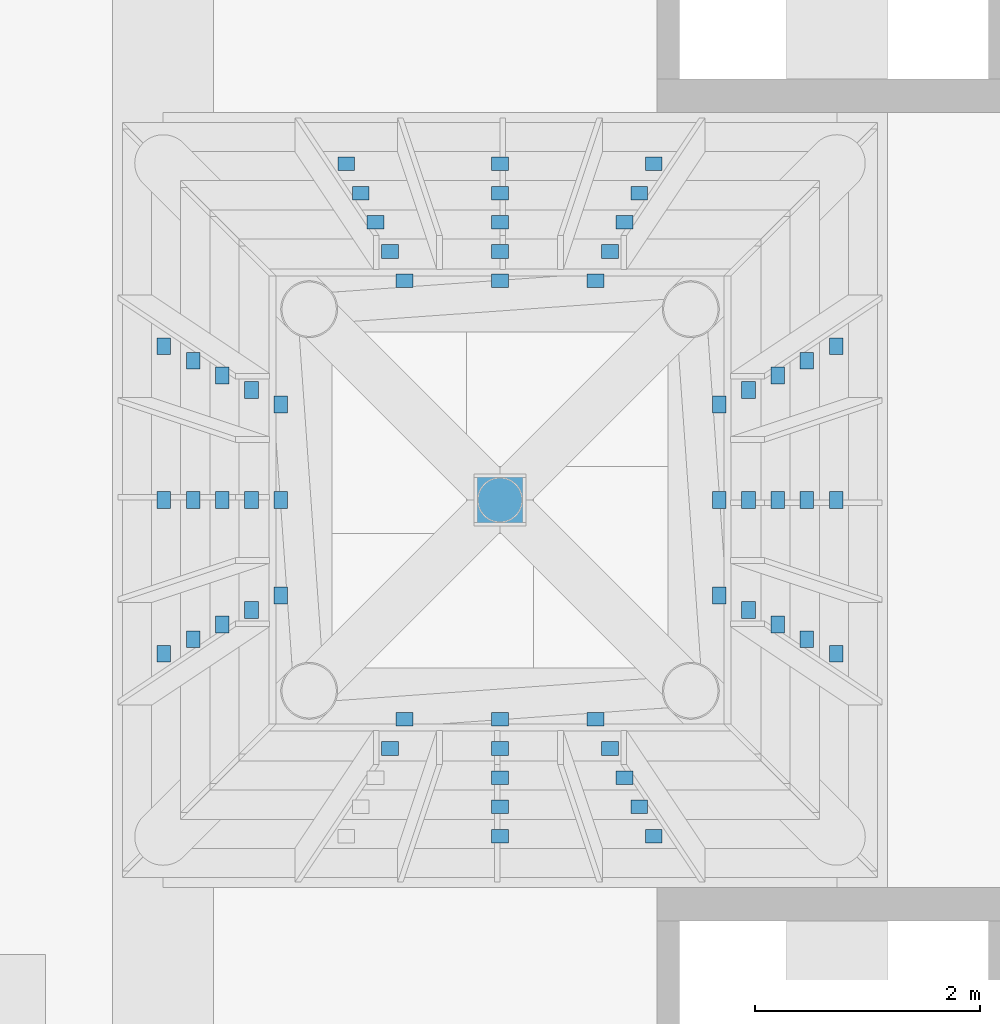
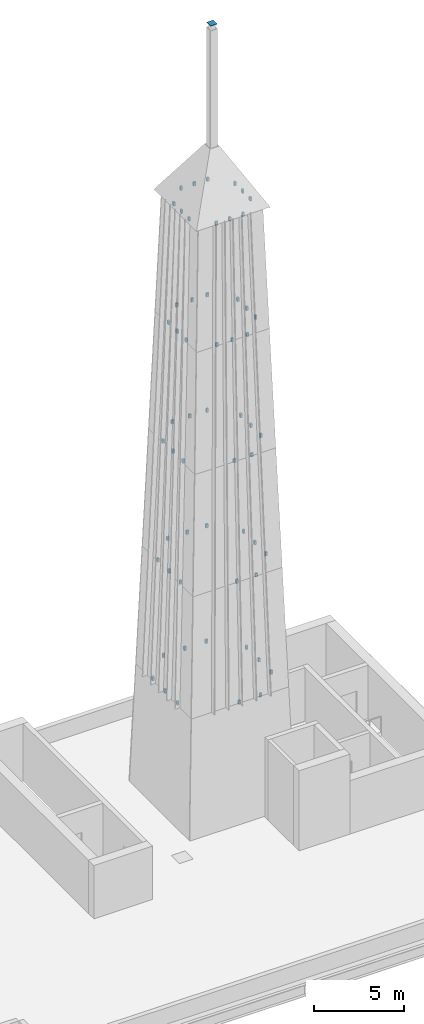
# One storey, part 5 of 8: 58 discrete accessories.
"""IFC4 building model written with IfcOpenShell, lengths in metres."""

from ifc_helpers import new_model, si_unit, direction, frame, origin, origin_2d, place, context, subcontext, project, spatial, rectangle, extrude, material, layer, layer_set, type_object, element, save


model = new_model("IFC4")

# Units and contexts
model_context = context("Model", 3, precision=1e-05, world=origin(), true_north=direction((0.0, 1.0)))
body_context = subcontext(model_context, "Body", "Model", "MODEL_VIEW")
ifc_project = project(units=[si_unit("LENGTHUNIT", "METRE"), si_unit("AREAUNIT", "SQUARE_METRE"), si_unit("VOLUMEUNIT", "CUBIC_METRE"), si_unit("PLANEANGLEUNIT", "RADIAN"), si_unit("MASSUNIT", "GRAM", prefix="KILO")], contexts=[model_context])

# Site, building, storey
site_placement = place(None, origin())
site = spatial("IfcSite", under=ifc_project, at=site_placement, CompositionType="ELEMENT")
building_placement = place(site_placement, origin())
building = spatial("IfcBuilding", under=site, at=building_placement, Name="Loomwork Tower", CompositionType="ELEMENT")
storey_placement = place(building_placement, frame((0.0, 0.0, 279.800048828125)))
storey = spatial("IfcBuildingStorey", under=building, at=storey_placement, Name="RF", CompositionType="ELEMENT", Elevation=279.800048828125)

# Discrete accessories
ifc_material_1 = material(Name="Steel, galvanised", Category="steel")
discrete_accessory_type_1 = type_object("IfcDiscreteAccessoryType", Name="Crown cladding bracket", PredefinedType="BRACKET", material=ifc_material_1)
for number, where, z_axis, x_axis, name in (
    (1, (22.5, 15.00634765625, 7.875), (0.0, 0.0, 1.0), (1.0, 0.0, 0.0), "Crown cladding bracket south 8 m 2"),
    (2, (23.8701171875, 15.00634765625, 7.875), (0.0, 0.0, 1.0), (1.0, 0.0, 0.0), "Crown cladding bracket south 8 m 3"),
    (3, (22.5, 15.266357421875, 15.875), (0.0, 0.0, 1.0), (1.0, 0.0, 0.0), "Crown cladding bracket south 16 m 2"),
    (4, (23.739990234375, 15.266357421875, 15.875), (0.0, 0.0, 1.0), (1.0, 0.0, 0.0), "Crown cladding bracket south 16 m 3"),
    (5, (22.5, 15.5263671875, 23.875), (0.0, 0.0, 1.0), (1.0, 0.0, 0.0), "Crown cladding bracket south 24 m 2"),
    (6, (23.610107421875, 15.5263671875, 23.875), (0.0, 0.0, 1.0), (1.0, 0.0, 0.0), "Crown cladding bracket south 24 m 3"),
    (7, (21.52001953125, 15.786376953125, 31.875), (0.0, 0.0, 1.0), (1.0, 0.0, 0.0), "Crown cladding bracket south 32 m 1"),
    (8, (22.5, 15.786376953125, 31.875), (0.0, 0.0, 1.0), (1.0, 0.0, 0.0), "Crown cladding bracket south 32 m 2"),
    (9, (23.47998046875, 15.786376953125, 31.875), (0.0, 0.0, 1.0), (1.0, 0.0, 0.0), "Crown cladding bracket south 32 m 3"),
    (10, (21.64990234375, 16.04638671875, 39.875), (0.0, 0.0, 1.0), (1.0, 0.0, 0.0), "Crown cladding bracket south 40 m 1"),
    (11, (22.5, 16.04638671875, 39.875), (0.0, 0.0, 1.0), (1.0, 0.0, 0.0), "Crown cladding bracket south 40 m 2"),
    (12, (23.35009765625, 16.04638671875, 39.875), (0.0, 0.0, 1.0), (1.0, 0.0, 0.0), "Crown cladding bracket south 40 m 3"),
):
    element("IfcDiscreteAccessory", number, at=place(storey_placement, frame(where, z_axis=z_axis, x_axis=x_axis)), inside=storey, type_object=discrete_accessory_type_1, Name=name, PredefinedType="BRACKET", context=body_context, shape_type="SweptSolid", body=[
        extrude(rectangle(XDim=0.14990234375, YDim=0.120849609375, at=origin_2d()), origin(), (0.0, 0.0, 1.0), 0.25),
    ])
for number, where, z_axis, x_axis, name in (
    (13, (25.49365234375, 16.6298828125, 7.875), (0.0, 0.0, 1.0), (1.0, 0.0, 0.0), "Crown cladding bracket east 8 m 1"),
    (14, (25.49365234375, 18.0, 7.875), (0.0, 0.0, 1.0), (1.0, 0.0, 0.0), "Crown cladding bracket east 8 m 2"),
    (15, (25.49365234375, 19.3701171875, 7.875), (0.0, 0.0, 1.0), (1.0, 0.0, 0.0), "Crown cladding bracket east 8 m 3"),
    (16, (25.233642578125, 16.760009765625, 15.875), (0.0, 0.0, 1.0), (1.0, 0.0, 0.0), "Crown cladding bracket east 16 m 1"),
    (17, (25.233642578125, 18.0, 15.875), (0.0, 0.0, 1.0), (1.0, 0.0, 0.0), "Crown cladding bracket east 16 m 2"),
    (18, (25.233642578125, 19.239990234375, 15.875), (0.0, 0.0, 1.0), (1.0, 0.0, 0.0), "Crown cladding bracket east 16 m 3"),
    (19, (24.9736328125, 16.889892578125, 23.875), (0.0, 0.0, 1.0), (1.0, 0.0, 0.0), "Crown cladding bracket east 24 m 1"),
    (20, (24.9736328125, 18.0, 23.875), (0.0, 0.0, 1.0), (1.0, 0.0, 0.0), "Crown cladding bracket east 24 m 2"),
    (21, (24.9736328125, 19.110107421875, 23.875), (0.0, 0.0, 1.0), (1.0, 0.0, 0.0), "Crown cladding bracket east 24 m 3"),
    (22, (24.713623046875, 17.02001953125, 31.875), (0.0, 0.0, 1.0), (1.0, 0.0, 0.0), "Crown cladding bracket east 32 m 1"),
    (23, (24.713623046875, 18.0, 31.875), (0.0, 0.0, 1.0), (1.0, 0.0, 0.0), "Crown cladding bracket east 32 m 2"),
    (24, (24.713623046875, 18.97998046875, 31.875), (0.0, 0.0, 1.0), (1.0, 0.0, 0.0), "Crown cladding bracket east 32 m 3"),
    (25, (24.45361328125, 17.14990234375, 39.875), (0.0, 0.0, 1.0), (1.0, 0.0, 0.0), "Crown cladding bracket east 40 m 1"),
    (26, (24.45361328125, 18.0, 39.875), (0.0, 0.0, 1.0), (1.0, 0.0, 0.0), "Crown cladding bracket east 40 m 2"),
    (27, (24.45361328125, 18.85009765625, 39.875), (0.0, 0.0, 1.0), (1.0, 0.0, 0.0), "Crown cladding bracket east 40 m 3"),
):
    element("IfcDiscreteAccessory", number, at=place(storey_placement, frame(where, z_axis=z_axis, x_axis=x_axis)), inside=storey, type_object=discrete_accessory_type_1, Name=name, PredefinedType="BRACKET", context=body_context, shape_type="SweptSolid", body=[
        extrude(rectangle(XDim=0.120849609375, YDim=0.14990234375, at=origin_2d()), origin(), (0.0, 0.0, 1.0), 0.25),
    ])
for number, where, z_axis, x_axis, name in (
    (28, (23.8701171875, 20.99365234375, 7.875), (0.0, 0.0, 1.0), (1.0, 0.0, 0.0), "Crown cladding bracket north 8 m 1"),
    (29, (22.5, 20.99365234375, 7.875), (0.0, 0.0, 1.0), (1.0, 0.0, 0.0), "Crown cladding bracket north 8 m 2"),
    (30, (21.1298828125, 20.99365234375, 7.875), (0.0, 0.0, 1.0), (1.0, 0.0, 0.0), "Crown cladding bracket north 8 m 3"),
    (31, (23.739990234375, 20.733642578125, 15.875), (0.0, 0.0, 1.0), (1.0, 0.0, 0.0), "Crown cladding bracket north 16 m 1"),
    (32, (22.5, 20.733642578125, 15.875), (0.0, 0.0, 1.0), (1.0, 0.0, 0.0), "Crown cladding bracket north 16 m 2"),
    (33, (21.260009765625, 20.733642578125, 15.875), (0.0, 0.0, 1.0), (1.0, 0.0, 0.0), "Crown cladding bracket north 16 m 3"),
    (34, (23.610107421875, 20.4736328125, 23.875), (0.0, 0.0, 1.0), (1.0, 0.0, 0.0), "Crown cladding bracket north 24 m 1"),
    (35, (22.5, 20.4736328125, 23.875), (0.0, 0.0, 1.0), (1.0, 0.0, 0.0), "Crown cladding bracket north 24 m 2"),
    (36, (21.389892578125, 20.4736328125, 23.875), (0.0, 0.0, 1.0), (1.0, 0.0, 0.0), "Crown cladding bracket north 24 m 3"),
    (37, (23.47998046875, 20.213623046875, 31.875), (0.0, 0.0, 1.0), (1.0, 0.0, 0.0), "Crown cladding bracket north 32 m 1"),
    (38, (22.5, 20.213623046875, 31.875), (0.0, 0.0, 1.0), (1.0, 0.0, 0.0), "Crown cladding bracket north 32 m 2"),
    (39, (21.52001953125, 20.213623046875, 31.875), (0.0, 0.0, 1.0), (1.0, 0.0, 0.0), "Crown cladding bracket north 32 m 3"),
    (40, (23.35009765625, 19.95361328125, 39.875), (0.0, 0.0, 1.0), (1.0, 0.0, 0.0), "Crown cladding bracket north 40 m 1"),
    (41, (22.5, 19.95361328125, 39.875), (0.0, 0.0, 1.0), (1.0, 0.0, 0.0), "Crown cladding bracket north 40 m 2"),
    (42, (21.64990234375, 19.95361328125, 39.875), (0.0, 0.0, 1.0), (1.0, 0.0, 0.0), "Crown cladding bracket north 40 m 3"),
):
    element("IfcDiscreteAccessory", number, at=place(storey_placement, frame(where, z_axis=z_axis, x_axis=x_axis)), inside=storey, type_object=discrete_accessory_type_1, Name=name, PredefinedType="BRACKET", context=body_context, shape_type="SweptSolid", body=[
        extrude(rectangle(XDim=0.14990234375, YDim=0.120849609375, at=origin_2d()), origin(), (0.0, 0.0, 1.0), 0.25),
    ])
for number, where, z_axis, x_axis, name in (
    (43, (19.50634765625, 19.3701171875, 7.875), (0.0, 0.0, 1.0), (1.0, 0.0, 0.0), "Crown cladding bracket west 8 m 1"),
    (44, (19.50634765625, 18.0, 7.875), (0.0, 0.0, 1.0), (1.0, 0.0, 0.0), "Crown cladding bracket west 8 m 2"),
    (45, (19.50634765625, 16.6298828125, 7.875), (0.0, 0.0, 1.0), (1.0, 0.0, 0.0), "Crown cladding bracket west 8 m 3"),
    (46, (19.766357421875, 19.239990234375, 15.875), (0.0, 0.0, 1.0), (1.0, 0.0, 0.0), "Crown cladding bracket west 16 m 1"),
    (47, (19.766357421875, 18.0, 15.875), (0.0, 0.0, 1.0), (1.0, 0.0, 0.0), "Crown cladding bracket west 16 m 2"),
    (48, (19.766357421875, 16.760009765625, 15.875), (0.0, 0.0, 1.0), (1.0, 0.0, 0.0), "Crown cladding bracket west 16 m 3"),
    (49, (20.0263671875, 19.110107421875, 23.875), (0.0, 0.0, 1.0), (1.0, 0.0, 0.0), "Crown cladding bracket west 24 m 1"),
    (50, (20.0263671875, 18.0, 23.875), (0.0, 0.0, 1.0), (1.0, 0.0, 0.0), "Crown cladding bracket west 24 m 2"),
    (51, (20.0263671875, 16.889892578125, 23.875), (0.0, 0.0, 1.0), (1.0, 0.0, 0.0), "Crown cladding bracket west 24 m 3"),
    (52, (20.286376953125, 18.97998046875, 31.875), (0.0, 0.0, 1.0), (1.0, 0.0, 0.0), "Crown cladding bracket west 32 m 1"),
    (53, (20.286376953125, 18.0, 31.875), (0.0, 0.0, 1.0), (1.0, 0.0, 0.0), "Crown cladding bracket west 32 m 2"),
    (54, (20.286376953125, 17.02001953125, 31.875), (0.0, 0.0, 1.0), (1.0, 0.0, 0.0), "Crown cladding bracket west 32 m 3"),
    (55, (20.54638671875, 18.85009765625, 39.875), (0.0, 0.0, 1.0), (1.0, 0.0, 0.0), "Crown cladding bracket west 40 m 1"),
    (56, (20.54638671875, 18.0, 39.875), (0.0, 0.0, 1.0), (1.0, 0.0, 0.0), "Crown cladding bracket west 40 m 2"),
    (57, (20.54638671875, 17.14990234375, 39.875), (0.0, 0.0, 1.0), (1.0, 0.0, 0.0), "Crown cladding bracket west 40 m 3"),
):
    element("IfcDiscreteAccessory", number, at=place(storey_placement, frame(where, z_axis=z_axis, x_axis=x_axis)), inside=storey, type_object=discrete_accessory_type_1, Name=name, PredefinedType="BRACKET", context=body_context, shape_type="SweptSolid", body=[
        extrude(rectangle(XDim=0.120849609375, YDim=0.14990234375, at=origin_2d()), origin(), (0.0, 0.0, 1.0), 0.25),
    ])
ifc_material_2 = material(Name="Steel ASTM A572 Grade 50", Category="steel")
ifc_layer = layer(ifc_material_2, 0.02490234375)
ifc_layer_set = layer_set([ifc_layer], Name="Steel end cap plate 25")
discrete_accessory_type_2 = type_object("IfcDiscreteAccessoryType", Name="Steel end cap plate 25", PredefinedType="USERDEFINED", material=ifc_layer_set)
discrete_accessory_placement = place(storey_placement, frame((22.5, 18.0, 51.9990234375), z_axis=(0.0, 0.0, 1.0), x_axis=(1.0, 0.0, 0.0)))
element("IfcDiscreteAccessory", 58, at=discrete_accessory_placement, inside=storey, type_object=discrete_accessory_type_2, Name="Spire mast top cap plate", ObjectType="END PLATE", PredefinedType="USERDEFINED", context=body_context, shape_type="SweptSolid", body=[
    extrude(rectangle(XDim=0.426513671875, YDim=0.426513671875, at=origin_2d()), origin(), (0.0, 0.0, 1.0), 0.02490234375),
])

save(model, "model.ifc")
